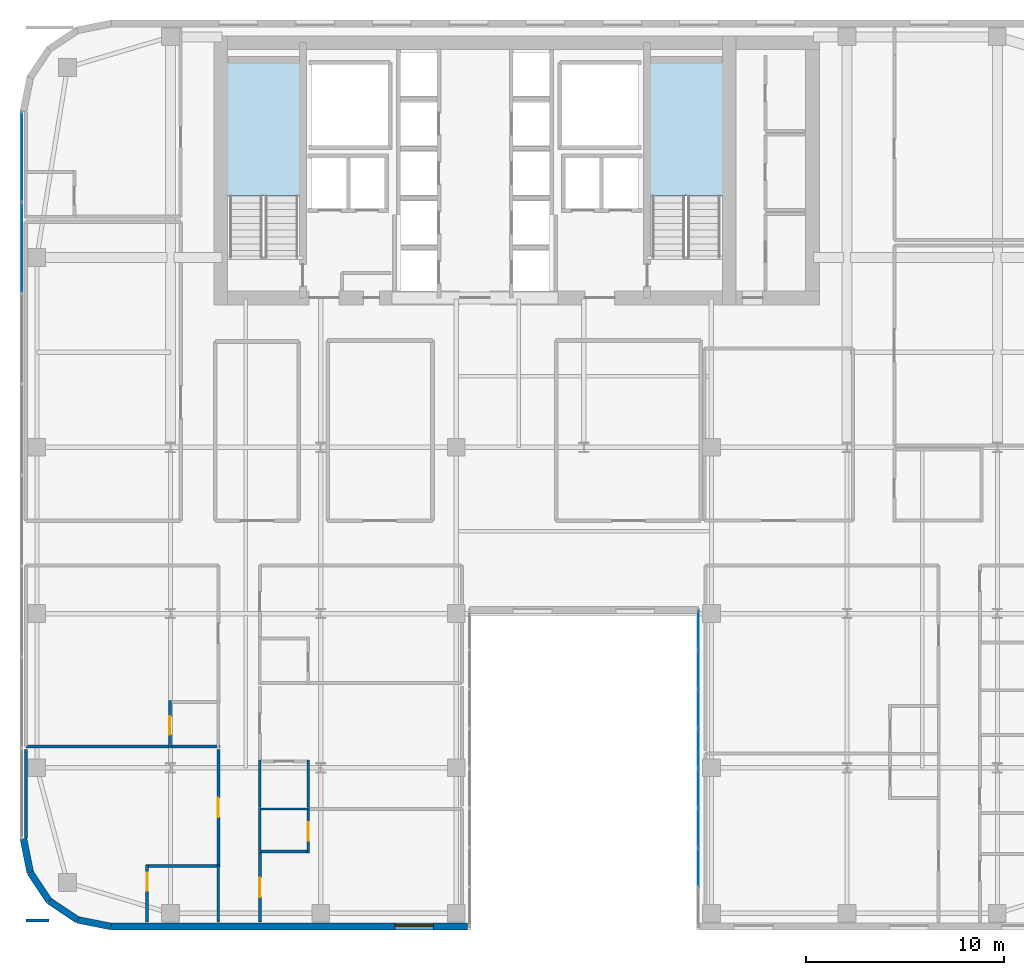
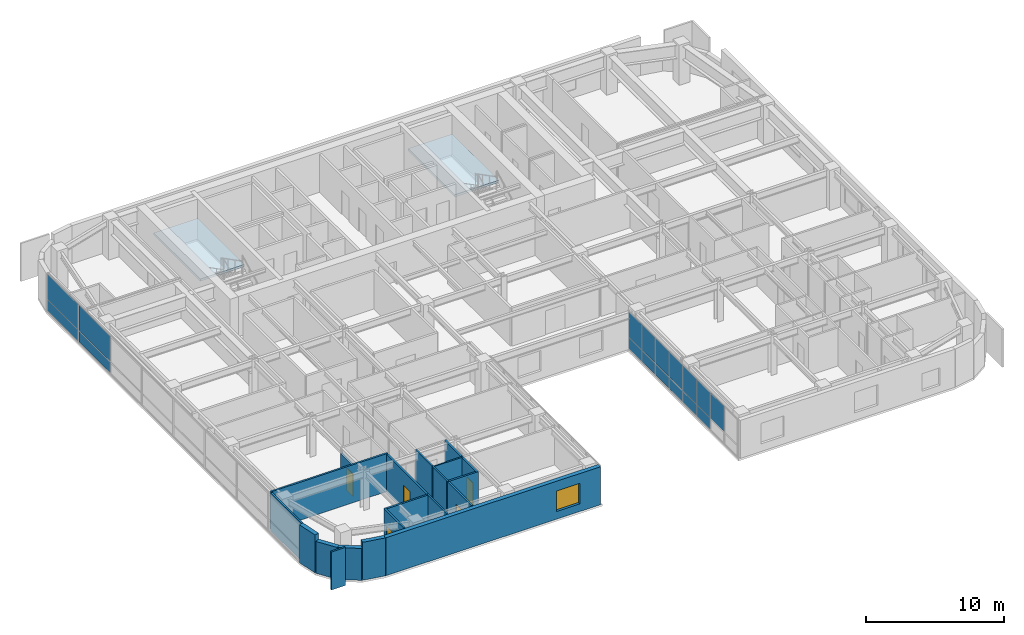
# One storey, part 23 of 30: 20 walls, 17 plates, 5 doors, 2 slabs, 1 window, 6 openings, 4 elements without a shape of their own.
"""IFC4 building model written with IfcOpenShell, lengths in metres."""

from ifc_helpers import new_model, si_unit, direction, frame, frame_2d, origin, origin_2d, place, context, subcontext, project, spatial, polyline, rectangle, outline, extrude, source, transform, mapped, material, layer, layer_set, type_object, type_shapes, element, fill, aggregate, save


model = new_model("IFC4")

# Units and contexts
model_context = context("Model", 3, precision=1e-05, world=origin(), true_north=direction((0.0, 1.0)))
body_context = subcontext(model_context, "Body", "Model", "MODEL_VIEW")
ifc_project = project(units=[si_unit("LENGTHUNIT", "METRE"), si_unit("AREAUNIT", "SQUARE_METRE"), si_unit("VOLUMEUNIT", "CUBIC_METRE"), si_unit("PLANEANGLEUNIT", "RADIAN"), si_unit("MASSUNIT", "GRAM", prefix="KILO")], contexts=[model_context])

# Site, building, storey
site_placement = place(None, origin())
site = spatial("IfcSite", under=ifc_project, at=site_placement, CompositionType="ELEMENT")
building_placement = place(site_placement, origin())
building = spatial("IfcBuilding", under=site, at=building_placement, Name="Tolvann Quenvar Hotel", CompositionType="ELEMENT")
storey_placement = place(building_placement, frame((0.0, 0.0, 100.89990234375)))
storey = spatial("IfcBuildingStorey", under=building, at=storey_placement, Name="L25", CompositionType="ELEMENT", Elevation=100.89990234375)

# Stair, slab
ifc_material_1 = material(Name="Concrete N40 (40 MPa)", Category="concrete")
stair_type = type_object("IfcStairType", Name="STAIR", PredefinedType="HALF_TURN_STAIR", material=ifc_material_1)
stair_1_placement = place(storey_placement, origin())
stair_1 = element("IfcStair", 1, at=stair_1_placement, inside=storey, type_object=stair_type, Name="L25 ST-C1", PredefinedType="HALF_TURN_STAIR")
ifc_layer_1 = layer(ifc_material_1, 0.199951171875)
ifc_layer_set_1 = layer_set([ifc_layer_1], Name="Concrete N40 (40 MPa)")
slab_type = type_object("IfcSlabType", Name="SLAB_LANDING", PredefinedType="LANDING", material=ifc_layer_set_1)
slab_1_placement = place(storey_placement, frame((0.0, 0.0, 1.5751953125)))
slab_1 = element("IfcSlab", 2, at=slab_1_placement, type_object=slab_type, Name="ST-C1 landing 1", PredefinedType="LANDING", context=body_context, shape_type="SweptSolid", body=[
    extrude(outline(polyline([(14.179931640625, 37.10498046875), (14.179931640625, 43.8798828125), (10.469970703125, 43.8798828125), (10.469970703125, 37.10498046875), (14.179931640625, 37.10498046875)])), origin(), (0.0, 0.0, 1.0), 0.199951171875),
])
aggregate(stair_1, [slab_1])

stair_2_placement = place(storey_placement, origin())
stair_2 = element("IfcStair", 3, at=stair_2_placement, inside=storey, type_object=stair_type, Name="L25 ST-C2", PredefinedType="HALF_TURN_STAIR")
slab_2_placement = place(storey_placement, frame((0.0, 0.0, 1.5751953125)))
slab_2 = element("IfcSlab", 4, at=slab_2_placement, type_object=slab_type, Name="ST-C2 landing 1", PredefinedType="LANDING", context=body_context, shape_type="SweptSolid", body=[
    extrude(outline(polyline([(35.530029296875, 37.10498046875), (35.530029296875, 43.8798828125), (31.820068359375, 43.8798828125), (31.820068359375, 37.10498046875), (35.530029296875, 37.10498046875)])), origin(), (0.0, 0.0, 1.0), 0.199951171875),
])
aggregate(stair_2, [slab_2])

# Curtain wall, plates
ifc_material_2 = material(Name="Thermally broken anodised architectural aluminium 6063-T6 and laminated low-E glass", Category="aluminium")
ifc_layer_2 = layer(ifc_material_2, 0.179931640625)
ifc_layer_set_2 = layer_set([ifc_layer_2], Name="Thermally broken anodised architectural aluminium 6063-T6 and laminated low-E glass")
curtain_wall_type_1 = type_object("IfcCurtainWallType", Name="CW_SYS_SLOT_03", PredefinedType="USERDEFINED", material=ifc_layer_set_2)
curtain_wall_1_placement = place(storey_placement, origin())
curtain_wall_1 = element("IfcCurtainWall", 5, at=curtain_wall_1_placement, inside=storey, type_object=curtain_wall_type_1, Name="Curtain Wall CW-SLOT-03 (CWR-L25-E07)", ObjectType="UNITISED CURTAIN WALL", PredefinedType="USERDEFINED")
ifc_material_3 = material(Name="Low-iron laminated double glazing with solar-control coating", Category="glass")
ifc_layer_3 = layer(ifc_material_3, 0.028076171875)
ifc_layer_set_3 = layer_set([ifc_layer_3], Name="Low-iron laminated double glazing with solar-control coating")
plate_type = type_object("IfcPlateType", Name="CW_PAN_VISION_28", PredefinedType="CURTAIN_PANEL", material=ifc_layer_set_3)
shared_shape_1 = source(origin(), body_context, "Body", "SweptSolid", [
    extrude(rectangle(XDim=1.89501953125, YDim=0.028076171875, at=origin_2d()), origin(), (0.0, 0.0, 1.0), 0.9599609375),
])
plate_1_placement = place(storey_placement, frame((34.2900390625, 15.157470703125, 0.06005859375), z_axis=(0.0, 0.0, 1.0), x_axis=(0.0, -1.0, 0.0)))
plate_1 = element("IfcPlate", 6, at=plate_1_placement, type_object=plate_type, Name="CW-SLOT-03 panel 1.1", PredefinedType="CURTAIN_PANEL", context=body_context, shape_type="MappedRepresentation", body=[
    mapped(shared_shape_1, transform((0.0, 0.0, 0.0), x_axis=(1.0, 0.0, 0.0), y_axis=(0.0, 1.0, 0.0), z_axis=(0.0, 0.0, 1.0), scale=1.0)),
])
shared_shape_2 = source(origin(), body_context, "Body", "SweptSolid", [
    extrude(rectangle(XDim=1.89501953125, YDim=0.028076171875, at=origin_2d()), origin(), (0.0, 0.0, 1.0), 2.22998046875),
])
plate_2_placement = place(storey_placement, frame((34.2900390625, 15.157470703125, 1.080078125), z_axis=(0.0, 0.0, 1.0), x_axis=(0.0, -1.0, 0.0)))
plate_2 = element("IfcPlate", 7, at=plate_2_placement, type_object=plate_type, Name="CW-SLOT-03 panel 1.2", PredefinedType="CURTAIN_PANEL", context=body_context, shape_type="MappedRepresentation", body=[
    mapped(shared_shape_2, transform((0.0, 0.0, 0.0), x_axis=(1.0, 0.0, 0.0), y_axis=(0.0, 1.0, 0.0), z_axis=(0.0, 0.0, 1.0), scale=1.0)),
])
shared_shape_3 = source(origin(), body_context, "Body", "SweptSolid", [
    extrude(rectangle(XDim=1.929931640625, YDim=0.028076171875, at=origin_2d()), origin(), (0.0, 0.0, 1.0), 0.9599609375),
])
plate_3_placement = place(storey_placement, frame((34.2900390625, 13.175048828125, 0.06005859375), z_axis=(0.0, 0.0, 1.0), x_axis=(0.0, -1.0, 0.0)))
plate_3 = element("IfcPlate", 8, at=plate_3_placement, type_object=plate_type, Name="CW-SLOT-03 panel 2.1", PredefinedType="CURTAIN_PANEL", context=body_context, shape_type="MappedRepresentation", body=[
    mapped(shared_shape_3, transform((0.0, 0.0, 0.0), x_axis=(1.0, 0.0, 0.0), y_axis=(0.0, 1.0, 0.0), z_axis=(0.0, 0.0, 1.0), scale=1.0)),
])
plate_4_placement = place(storey_placement, frame((34.2900390625, 11.175048828125, 0.06005859375), z_axis=(0.0, 0.0, 1.0), x_axis=(0.0, -1.0, 0.0)))
plate_4 = element("IfcPlate", 9, at=plate_4_placement, type_object=plate_type, Name="CW-SLOT-03 panel 3.1", PredefinedType="CURTAIN_PANEL", context=body_context, shape_type="MappedRepresentation", body=[
    mapped(shared_shape_3, transform((0.0, 0.0, 0.0), x_axis=(1.0, 0.0, 0.0), y_axis=(0.0, 1.0, 0.0), z_axis=(0.0, 0.0, 1.0), scale=1.0)),
])
plate_5_placement = place(storey_placement, frame((34.2900390625, 9.175048828125, 0.06005859375), z_axis=(0.0, 0.0, 1.0), x_axis=(0.0, -1.0, 0.0)))
plate_5 = element("IfcPlate", 10, at=plate_5_placement, type_object=plate_type, Name="CW-SLOT-03 panel 4.1", PredefinedType="CURTAIN_PANEL", context=body_context, shape_type="MappedRepresentation", body=[
    mapped(shared_shape_3, transform((0.0, 0.0, 0.0), x_axis=(1.0, 0.0, 0.0), y_axis=(0.0, 1.0, 0.0), z_axis=(0.0, 0.0, 1.0), scale=1.0)),
])
plate_6_placement = place(storey_placement, frame((34.2900390625, 7.175048828125, 0.06005859375), z_axis=(0.0, 0.0, 1.0), x_axis=(0.0, -1.0, 0.0)))
plate_6 = element("IfcPlate", 11, at=plate_6_placement, type_object=plate_type, Name="CW-SLOT-03 panel 5.1", PredefinedType="CURTAIN_PANEL", context=body_context, shape_type="MappedRepresentation", body=[
    mapped(shared_shape_3, transform((0.0, 0.0, 0.0), x_axis=(1.0, 0.0, 0.0), y_axis=(0.0, 1.0, 0.0), z_axis=(0.0, 0.0, 1.0), scale=1.0)),
])
plate_7_placement = place(storey_placement, frame((34.2900390625, 5.175048828125, 0.06005859375), z_axis=(0.0, 0.0, 1.0), x_axis=(0.0, -1.0, 0.0)))
plate_7 = element("IfcPlate", 12, at=plate_7_placement, type_object=plate_type, Name="CW-SLOT-03 panel 6.1", PredefinedType="CURTAIN_PANEL", context=body_context, shape_type="MappedRepresentation", body=[
    mapped(shared_shape_3, transform((0.0, 0.0, 0.0), x_axis=(1.0, 0.0, 0.0), y_axis=(0.0, 1.0, 0.0), z_axis=(0.0, 0.0, 1.0), scale=1.0)),
])
shared_shape_4 = source(origin(), body_context, "Body", "SweptSolid", [
    extrude(rectangle(XDim=1.929931640625, YDim=0.028076171875, at=origin_2d()), origin(), (0.0, 0.0, 1.0), 2.22998046875),
])
plate_8_placement = place(storey_placement, frame((34.2900390625, 13.175048828125, 1.080078125), z_axis=(0.0, 0.0, 1.0), x_axis=(0.0, -1.0, 0.0)))
plate_8 = element("IfcPlate", 13, at=plate_8_placement, type_object=plate_type, Name="CW-SLOT-03 panel 2.2", PredefinedType="CURTAIN_PANEL", context=body_context, shape_type="MappedRepresentation", body=[
    mapped(shared_shape_4, transform((0.0, 0.0, 0.0), x_axis=(1.0, 0.0, 0.0), y_axis=(0.0, 1.0, 0.0), z_axis=(0.0, 0.0, 1.0), scale=1.0)),
])
plate_9_placement = place(storey_placement, frame((34.2900390625, 11.175048828125, 1.080078125), z_axis=(0.0, 0.0, 1.0), x_axis=(0.0, -1.0, 0.0)))
plate_9 = element("IfcPlate", 14, at=plate_9_placement, type_object=plate_type, Name="CW-SLOT-03 panel 3.2", PredefinedType="CURTAIN_PANEL", context=body_context, shape_type="MappedRepresentation", body=[
    mapped(shared_shape_4, transform((0.0, 0.0, 0.0), x_axis=(1.0, 0.0, 0.0), y_axis=(0.0, 1.0, 0.0), z_axis=(0.0, 0.0, 1.0), scale=1.0)),
])
plate_10_placement = place(storey_placement, frame((34.2900390625, 9.175048828125, 1.080078125), z_axis=(0.0, 0.0, 1.0), x_axis=(0.0, -1.0, 0.0)))
plate_10 = element("IfcPlate", 15, at=plate_10_placement, type_object=plate_type, Name="CW-SLOT-03 panel 4.2", PredefinedType="CURTAIN_PANEL", context=body_context, shape_type="MappedRepresentation", body=[
    mapped(shared_shape_4, transform((0.0, 0.0, 0.0), x_axis=(1.0, 0.0, 0.0), y_axis=(0.0, 1.0, 0.0), z_axis=(0.0, 0.0, 1.0), scale=1.0)),
])
plate_11_placement = place(storey_placement, frame((34.2900390625, 7.175048828125, 1.080078125), z_axis=(0.0, 0.0, 1.0), x_axis=(0.0, -1.0, 0.0)))
plate_11 = element("IfcPlate", 16, at=plate_11_placement, type_object=plate_type, Name="CW-SLOT-03 panel 5.2", PredefinedType="CURTAIN_PANEL", context=body_context, shape_type="MappedRepresentation", body=[
    mapped(shared_shape_4, transform((0.0, 0.0, 0.0), x_axis=(1.0, 0.0, 0.0), y_axis=(0.0, 1.0, 0.0), z_axis=(0.0, 0.0, 1.0), scale=1.0)),
])
plate_12_placement = place(storey_placement, frame((34.2900390625, 5.175048828125, 1.080078125), z_axis=(0.0, 0.0, 1.0), x_axis=(0.0, -1.0, 0.0)))
plate_12 = element("IfcPlate", 17, at=plate_12_placement, type_object=plate_type, Name="CW-SLOT-03 panel 6.2", PredefinedType="CURTAIN_PANEL", context=body_context, shape_type="MappedRepresentation", body=[
    mapped(shared_shape_4, transform((0.0, 0.0, 0.0), x_axis=(1.0, 0.0, 0.0), y_axis=(0.0, 1.0, 0.0), z_axis=(0.0, 0.0, 1.0), scale=1.0)),
])
plate_13_placement = place(storey_placement, frame((34.2900390625, 3.175048828125, 1.080078125), z_axis=(0.0, 0.0, 1.0), x_axis=(0.0, -1.0, 0.0)))
plate_13 = element("IfcPlate", 18, at=plate_13_placement, type_object=plate_type, Name="CW-SLOT-03 panel 7.2", PredefinedType="CURTAIN_PANEL", context=body_context, shape_type="MappedRepresentation", body=[
    mapped(shared_shape_4, transform((0.0, 0.0, 0.0), x_axis=(1.0, 0.0, 0.0), y_axis=(0.0, 1.0, 0.0), z_axis=(0.0, 0.0, 1.0), scale=1.0)),
])
aggregate(curtain_wall_1, [plate_1, plate_2, plate_3, plate_8, plate_4, plate_9, plate_5, plate_10, plate_6, plate_11, plate_7, plate_12, plate_13])

ifc_layer_4 = layer(ifc_material_2, 0.179931640625)
ifc_layer_set_4 = layer_set([ifc_layer_4], Name="Thermally broken anodised architectural aluminium 6063-T6 and laminated low-E glass")
curtain_wall_type_2 = type_object("IfcCurtainWallType", Name="CW_SYS_BAND_04", PredefinedType="USERDEFINED", material=ifc_layer_set_4)
curtain_wall_2_placement = place(storey_placement, origin())
curtain_wall_2 = element("IfcCurtainWall", 19, at=curtain_wall_2_placement, inside=storey, type_object=curtain_wall_type_2, Name="Curtain Wall CW-BAND-04 (CWR-L25-E23)", ObjectType="UNITISED CURTAIN WALL", PredefinedType="USERDEFINED")
shared_shape_5 = source(origin(), body_context, "Body", "SweptSolid", [
    extrude(rectangle(XDim=4.49072265625, YDim=0.028076171875, at=origin_2d()), origin(), (0.0, 0.0, 1.0), 0.9599609375),
])
plate_14_placement = place(storey_placement, frame((0.090087890625, 39.0673828125, 0.06005859375), z_axis=(0.0, 0.0, 1.0), x_axis=(0.0, -1.0, 0.0)))
plate_14 = element("IfcPlate", 20, at=plate_14_placement, type_object=plate_type, Name="CW-BAND-04 panel 1.1", PredefinedType="CURTAIN_PANEL", context=body_context, shape_type="MappedRepresentation", body=[
    mapped(shared_shape_5, transform((0.0, 0.0, 0.0), x_axis=(1.0, 0.0, 0.0), y_axis=(0.0, 1.0, 0.0), z_axis=(0.0, 0.0, 1.0), scale=1.0)),
])
shared_shape_6 = source(origin(), body_context, "Body", "SweptSolid", [
    extrude(rectangle(XDim=4.49072265625, YDim=0.028076171875, at=origin_2d()), origin(), (0.0, 0.0, 1.0), 2.22998046875),
])
plate_15_placement = place(storey_placement, frame((0.090087890625, 39.0673828125, 1.080078125), z_axis=(0.0, 0.0, 1.0), x_axis=(0.0, -1.0, 0.0)))
plate_15 = element("IfcPlate", 21, at=plate_15_placement, type_object=plate_type, Name="CW-BAND-04 panel 1.2", PredefinedType="CURTAIN_PANEL", context=body_context, shape_type="MappedRepresentation", body=[
    mapped(shared_shape_6, transform((0.0, 0.0, 0.0), x_axis=(1.0, 0.0, 0.0), y_axis=(0.0, 1.0, 0.0), z_axis=(0.0, 0.0, 1.0), scale=1.0)),
])
shared_shape_7 = source(origin(), body_context, "Body", "SweptSolid", [
    extrude(rectangle(XDim=4.525634765625, YDim=0.028076171875, at=origin_2d()), origin(), (0.0, 0.0, 1.0), 0.9599609375),
])
plate_16_placement = place(storey_placement, frame((0.090087890625, 34.4892578125, 0.06005859375), z_axis=(0.0, 0.0, 1.0), x_axis=(0.0, -1.0, 0.0)))
plate_16 = element("IfcPlate", 22, at=plate_16_placement, type_object=plate_type, Name="CW-BAND-04 panel 2.1", PredefinedType="CURTAIN_PANEL", context=body_context, shape_type="MappedRepresentation", body=[
    mapped(shared_shape_7, transform((0.0, 0.0, 0.0), x_axis=(1.0, 0.0, 0.0), y_axis=(0.0, 1.0, 0.0), z_axis=(0.0, 0.0, 1.0), scale=1.0)),
])
shared_shape_8 = source(origin(), body_context, "Body", "SweptSolid", [
    extrude(rectangle(XDim=4.525634765625, YDim=0.028076171875, at=origin_2d()), origin(), (0.0, 0.0, 1.0), 2.22998046875),
])
type_shapes(plate_type, [shared_shape_1, shared_shape_2, shared_shape_3, shared_shape_4, shared_shape_5, shared_shape_6, shared_shape_7, shared_shape_8])
plate_17_placement = place(storey_placement, frame((0.090087890625, 34.4892578125, 1.080078125), z_axis=(0.0, 0.0, 1.0), x_axis=(0.0, -1.0, 0.0)))
plate_17 = element("IfcPlate", 23, at=plate_17_placement, type_object=plate_type, Name="CW-BAND-04 panel 2.2", PredefinedType="CURTAIN_PANEL", context=body_context, shape_type="MappedRepresentation", body=[
    mapped(shared_shape_8, transform((0.0, 0.0, 0.0), x_axis=(1.0, 0.0, 0.0), y_axis=(0.0, 1.0, 0.0), z_axis=(0.0, 0.0, 1.0), scale=1.0)),
])
aggregate(curtain_wall_2, [plate_14, plate_15, plate_16, plate_17])

# Walls
ifc_material_4 = material(Name="Kiln-fired red and buff architectural clay brickwork and terracotta masonry", Category="masonry")
ifc_layer_5 = layer(ifc_material_4, 0.35009765625)
ifc_layer_set_5 = layer_set([ifc_layer_5], Name="Kiln-fired red and buff architectural clay brickwork and terracotta masonry")
wall_type_1 = type_object("IfcWallType", Name="WALL_EXT_BRICK_350", PredefinedType="SOLIDWALL", material=ifc_layer_set_5)
for number, where, z_axis, x_axis, name in (
    (24, (0.514892578125, 2.907958984375, 0.0), (0.0, 0.0, 1.0), (0.55554893791, -0.831483840845, 0.0), "Exterior Chicago Brick Wall L25-E01"),
    (25, (1.473388671875, 1.473388671875, 0.0), (0.0, 0.0, 1.0), (0.831483840845, -0.55554893791, 0.0), "Exterior Chicago Brick Wall L25-E02"),
):
    element("IfcWall", number, at=place(storey_placement, frame(where, z_axis=z_axis, x_axis=x_axis)), inside=storey, type_object=wall_type_1, Name=name, PredefinedType="SOLIDWALL", context=body_context, shape_type="SweptSolid", body=[
        extrude(rectangle(XDim=1.725341796875, YDim=0.35009765625, at=frame_2d((0.86279296875, 0.0))), origin(), (0.0, 0.0, 1.0), 2.83203125),
    ])
wall_1_placement = place(storey_placement, frame((2.907958984375, 0.514892578125, 0.0), z_axis=(0.0, 0.0, 1.0), x_axis=(0.980800971659, -0.195011420161, 0.0)))
element("IfcWall", 26, at=wall_1_placement, inside=storey, type_object=wall_type_1, Name="Exterior Chicago Brick Wall L25-E03", PredefinedType="SOLIDWALL", context=body_context, shape_type="SweptSolid", body=[
    extrude(rectangle(XDim=1.74267578125, YDim=0.35009765625, at=frame_2d((0.871337890625, 0.0))), origin(), (0.0, 0.0, 1.0), 3.3701171875),
])

# Wall, opening, window
wall_2_placement = place(storey_placement, frame((4.6171875, 0.175048828125, 0.0), z_axis=(0.0, 0.0, 1.0), x_axis=(1.0, 0.0, 0.0)))
wall_2 = element("IfcWall", 27, at=wall_2_placement, inside=storey, type_object=wall_type_1, Name="Exterior Chicago Brick Wall L25-E04", PredefinedType="SOLIDWALL", context=body_context, shape_type="SweptSolid", body=[
    extrude(rectangle(XDim=18.0078125, YDim=0.35009765625, at=frame_2d((9.00390625, 0.0))), origin(), (0.0, 0.0, 1.0), 3.3701171875),
])
opening_1_placement = place(wall_2_placement, frame((14.33203125, 0.0, 0.679931640625)))
opening_1 = element("IfcOpeningElement", 28, at=opening_1_placement, cuts=wall_2, Name="Opening W-10", PredefinedType="OPENING", context=body_context, shape_type="SweptSolid", body=[
    extrude(rectangle(XDim=1.949951171875, YDim=1.820068359375, at=frame_2d((0.97509765625, 0.91015625))), frame((0.0, 0.18505859375, 0.0), z_axis=(0.0, -1.0, 0.0), x_axis=(1.0, 0.0, 0.0)), (0.0, 0.0, 1.0), 0.3701171875),
])
ifc_material_5 = material(Name="Thermally broken bronze-anodised aluminium frame with double low-E glazing", Category="aluminium")
window_type = type_object("IfcWindowType", Name="WIN_CLB_1950x1850", PartitioningType="DOUBLE_PANEL_VERTICAL", PredefinedType="WINDOW", material=ifc_material_5)
shared_shape_9 = source(origin(), body_context, "Body", "SweptSolid", [
    extrude(rectangle(XDim=1.949951171875, YDim=1.820068359375, at=frame_2d((0.97509765625, 0.91015625))), frame((0.0, 0.090087890625, 0.0), z_axis=(0.0, -1.0, 0.0), x_axis=(1.0, 0.0, 0.0)), (0.0, 0.0, 1.0), 0.06005859375),
])
type_shapes(window_type, [shared_shape_9])
window_placement = place(opening_1_placement, origin())
window = element("IfcWindow", 29, at=window_placement, inside=storey, type_object=window_type, Name="Chicago Window W-10 (EW-L25-E04-W01)", OverallHeight=1.820068359375, OverallWidth=1.949951171875, PartitioningType="DOUBLE_PANEL_VERTICAL", PredefinedType="WINDOW", context=body_context, shape_type="MappedRepresentation", body=[
    mapped(shared_shape_9, transform((0.0, 0.0, 0.0), x_axis=(1.0, 0.0, 0.0), y_axis=(0.0, 1.0, 0.0), z_axis=(0.0, 0.0, 1.0), scale=1.0)),
])
fill(opening_1, window)

# Walls
wall_3_placement = place(storey_placement, frame((0.175048828125, 4.6171875, 0.0), z_axis=(0.0, 0.0, 1.0), x_axis=(0.195011420161, -0.980800971659, 0.0)))
element("IfcWall", 30, at=wall_3_placement, inside=storey, type_object=wall_type_1, Name="Exterior Chicago Brick Wall L25-E24", PredefinedType="SOLIDWALL", context=body_context, shape_type="SweptSolid", body=[
    extrude(rectangle(XDim=1.74267578125, YDim=0.35009765625, at=frame_2d((0.871337890625, 0.0))), origin(), (0.0, 0.0, 1.0), 3.3701171875),
])
ifc_material_6 = material(Name="Moisture-resistant acoustic plumbing wall assembly")
ifc_layer_6 = layer(ifc_material_6, 0.1201171875)
ifc_layer_set_6 = layer_set([ifc_layer_6], Name="Moisture-resistant acoustic plumbing wall assembly")
wall_type_2 = type_object("IfcWallType", Name="WALL_PART_BATH_120", PredefinedType="PLUMBINGWALL", material=ifc_layer_set_6)
wall_4_placement = place(storey_placement, frame((10.030029296875, 0.405029296875, 0.0), z_axis=(0.0, 0.0, 1.0), x_axis=(0.0, 1.0, 0.0)))
element("IfcWall", 31, at=wall_4_placement, inside=storey, type_object=wall_type_2, Name="Non-Rated Plumbing Partition PT-SPC-L25-ENS-WO01-E", PredefinedType="PLUMBINGWALL", context=body_context, shape_type="SweptSolid", body=[
    extrude(rectangle(XDim=2.89501953125, YDim=0.1201171875, at=frame_2d((1.447509765625, 0.0))), origin(), (0.0, 0.0, 1.0), 3.3701171875),
])
wall_5_placement = place(storey_placement, frame((12.050048828125, 6.1201171875, 0.0), z_axis=(0.0, 0.0, 1.0), x_axis=(1.0, 0.0, 0.0)))
element("IfcWall", 32, at=wall_5_placement, inside=storey, type_object=wall_type_2, Name="Non-Rated Plumbing Partition PT-SPC-L25-ENS-WI01-N", PredefinedType="PLUMBINGWALL", context=body_context, shape_type="SweptSolid", body=[
    extrude(rectangle(XDim=2.58984375, YDim=0.1201171875, at=frame_2d((1.294921875, 0.0))), origin(), (0.0, 0.0, 1.0), 3.3701171875),
])
wall_6_placement = place(storey_placement, frame((12.1201171875, 3.906982421875, 0.0), z_axis=(0.0, 0.0, 1.0), x_axis=(0.0, 1.0, 0.0)))
element("IfcWall", 33, at=wall_6_placement, inside=storey, type_object=wall_type_2, Name="Non-Rated Plumbing Partition PT-SPC-L25-ENS-WI01-W", PredefinedType="PLUMBINGWALL", context=body_context, shape_type="SweptSolid", body=[
    extrude(rectangle(XDim=2.282958984375, YDim=0.1201171875, at=frame_2d((1.1416015625, 0.0))), origin(), (0.0, 0.0, 1.0), 3.3701171875),
])
wall_7_placement = place(storey_placement, frame((12.1201171875, 6.2099609375, 0.0), z_axis=(0.0, 0.0, 1.0), x_axis=(0.0, 1.0, 0.0)))
element("IfcWall", 34, at=wall_7_placement, inside=storey, type_object=wall_type_2, Name="Non-Rated Plumbing Partition PT-SPC-L25-ENS-WI02-W", PredefinedType="PLUMBINGWALL", context=body_context, shape_type="SweptSolid", body=[
    extrude(rectangle(XDim=2.39013671875, YDim=0.1201171875, at=frame_2d((1.195068359375, 0.0))), origin(), (0.0, 0.0, 1.0), 3.3701171875),
])

# Wall, opening, door
ifc_material_7 = material(Name="Acoustic twin-stud fire-rated gypsum plasterboard partition")
ifc_layer_7 = layer(ifc_material_7, 0.14990234375)
ifc_layer_set_7 = layer_set([ifc_layer_7], Name="Acoustic twin-stud fire-rated gypsum plasterboard partition")
wall_type_3 = type_object("IfcWallType", Name="WALL_PART_SUITE_150", PredefinedType="PARTITIONING", material=ifc_layer_set_7)
wall_8_placement = place(storey_placement, frame((6.429931640625, 0.405029296875, 0.0), z_axis=(0.0, 0.0, 1.0), x_axis=(0.0, 1.0, 0.0)))
wall_8 = element("IfcWall", 35, at=wall_8_placement, inside=storey, type_object=wall_type_3, Name="Interior Partition PT-SPC-L25-ENS-WO01-ENT", PredefinedType="PARTITIONING", context=body_context, shape_type="SweptSolid", body=[
    extrude(rectangle(XDim=2.89501953125, YDim=0.14990234375, at=frame_2d((1.447509765625, 0.0))), origin(), (0.0, 0.0, 1.0), 3.3701171875),
])
opening_2_placement = place(wall_8_placement, frame((1.580078125, 0.0, 0.0)))
opening_2 = element("IfcOpeningElement", 36, at=opening_2_placement, cuts=wall_8, Name="Opening WD-01", PredefinedType="OPENING", context=body_context, shape_type="SweptSolid", body=[
    extrude(rectangle(XDim=0.919921875, YDim=2.010009765625, at=frame_2d((0.4599609375, 1.0048828125))), frame((0.0, 0.0849609375, 0.0), z_axis=(0.0, -1.0, 0.0), x_axis=(1.0, 0.0, 0.0)), (0.0, 0.0, 1.0), 0.169921875),
])
ifc_material_8 = material(Name="Solid-core American oak acoustic fire door leaf in steel frame", Category="steel")
door_type_1 = type_object("IfcDoorType", Name="DOOR_WC_920", OperationType="NOTDEFINED", PredefinedType="DOOR", material=ifc_material_8)
shared_shape_10 = source(origin(), body_context, "Body", "SweptSolid", [
    extrude(rectangle(XDim=0.919921875, YDim=2.010009765625, at=frame_2d((0.4599609375, 1.0048828125))), frame((0.0, 0.02490234375, 0.0), z_axis=(0.0, -1.0, 0.0), x_axis=(1.0, 0.0, 0.0)), (0.0, 0.0, 1.0), 0.050048828125),
])
type_shapes(door_type_1, [shared_shape_10])
door_1_placement = place(opening_2_placement, origin())
door_1 = element("IfcDoor", 37, at=door_1_placement, inside=storey, type_object=door_type_1, Name="Interior Door DOOR-SPC-L25-ENS-WO01", OperationType="SINGLE_SWING_LEFT", OverallHeight=2.010009765625, OverallWidth=0.919921875, PredefinedType="DOOR", context=body_context, shape_type="MappedRepresentation", body=[
    mapped(shared_shape_10, transform((0.0, 0.0, 0.0), x_axis=(1.0, 0.0, 0.0), y_axis=(0.0, 1.0, 0.0), z_axis=(0.0, 0.0, 1.0), scale=1.0)),
])
fill(opening_2, door_1)

# Wall
wall_9_placement = place(storey_placement, frame((6.360107421875, 3.22998046875, 0.0), z_axis=(0.0, 0.0, 1.0), x_axis=(1.0, 0.0, 0.0)))
element("IfcWall", 38, at=wall_9_placement, inside=storey, type_object=wall_type_3, Name="Interior Partition PT-SPC-L25-ENS-WO01-N", PredefinedType="PARTITIONING", context=body_context, shape_type="SweptSolid", body=[
    extrude(rectangle(XDim=3.739990234375, YDim=0.14990234375, at=frame_2d((1.8701171875, 0.0))), origin(), (0.0, 0.0, 1.0), 3.3701171875),
])

# Wall, opening, door
wall_10_placement = place(storey_placement, frame((7.580078125, 9.2099609375, 0.0), z_axis=(0.0, 0.0, 1.0), x_axis=(0.0, 1.0, 0.0)))
wall_10 = element("IfcWall", 39, at=wall_10_placement, inside=storey, type_object=wall_type_3, Name="Interior Partition PT-SPC-L25-ENS-WO02-ENT", PredefinedType="PARTITIONING", context=body_context, shape_type="SweptSolid", body=[
    extrude(rectangle(XDim=2.39013671875, YDim=0.14990234375, at=frame_2d((1.195068359375, 0.0))), origin(), (0.0, 0.0, 1.0), 2.8271484375),
])
opening_3_placement = place(wall_10_placement, frame((0.6650390625, 0.0, 0.0)))
opening_3 = element("IfcOpeningElement", 40, at=opening_3_placement, cuts=wall_10, Name="Opening WD-01", PredefinedType="OPENING", context=body_context, shape_type="SweptSolid", body=[
    extrude(rectangle(XDim=0.919921875, YDim=2.010009765625, at=frame_2d((0.4599609375, 1.0048828125))), frame((0.0, 0.0849609375, 0.0), z_axis=(0.0, -1.0, 0.0), x_axis=(1.0, 0.0, 0.0)), (0.0, 0.0, 1.0), 0.169921875),
])
door_2_placement = place(opening_3_placement, origin())
door_2 = element("IfcDoor", 41, at=door_2_placement, inside=storey, type_object=door_type_1, Name="Interior Door DOOR-SPC-L25-ENS-WO02", OperationType="SINGLE_SWING_RIGHT", OverallHeight=2.010009765625, OverallWidth=0.919921875, PredefinedType="DOOR", context=body_context, shape_type="MappedRepresentation", body=[
    mapped(shared_shape_10, transform((0.0, 0.0, 0.0), x_axis=(1.0, 0.0, 0.0), y_axis=(0.0, 1.0, 0.0), z_axis=(0.0, 0.0, 1.0), scale=1.0)),
])
fill(opening_3, door_2)

# Wall
wall_11_placement = place(storey_placement, frame((0.300048828125, 9.280029296875, 0.0), z_axis=(0.0, 0.0, 1.0), x_axis=(1.0, 0.0, 0.0)))
element("IfcWall", 42, at=wall_11_placement, inside=storey, type_object=wall_type_3, Name="Interior Partition PT-SPC-L25-ENS-WO02-S", PredefinedType="PARTITIONING", context=body_context, shape_type="SweptSolid", body=[
    extrude(rectangle(XDim=9.800048828125, YDim=0.14990234375, at=frame_2d((4.89990234375, 0.0))), origin(), (0.0, 0.0, 1.0), 3.3701171875),
])

# Wall, opening, door
wall_12_placement = place(storey_placement, frame((14.570068359375, 3.906982421875, 0.0), z_axis=(0.0, 0.0, 1.0), x_axis=(0.0, 1.0, 0.0)))
wall_12 = element("IfcWall", 43, at=wall_12_placement, inside=storey, type_object=wall_type_3, Name="Interior Partition PT-SPC-L25-ENS-WI01-ENT", PredefinedType="PARTITIONING", context=body_context, shape_type="SweptSolid", body=[
    extrude(rectangle(XDim=2.282958984375, YDim=0.14990234375, at=frame_2d((1.1416015625, 0.0))), origin(), (0.0, 0.0, 1.0), 3.3701171875),
])
opening_4_placement = place(wall_12_placement, frame((0.611572265625, 0.0, 0.0)))
opening_4 = element("IfcOpeningElement", 44, at=opening_4_placement, cuts=wall_12, Name="Opening WD-01", PredefinedType="OPENING", context=body_context, shape_type="SweptSolid", body=[
    extrude(rectangle(XDim=0.919921875, YDim=2.010009765625, at=frame_2d((0.4599609375, 1.0048828125))), frame((0.0, 0.0849609375, 0.0), z_axis=(0.0, -1.0, 0.0), x_axis=(1.0, 0.0, 0.0)), (0.0, 0.0, 1.0), 0.169921875),
])
door_3_placement = place(opening_4_placement, origin())
door_3 = element("IfcDoor", 45, at=door_3_placement, inside=storey, type_object=door_type_1, Name="Interior Door DOOR-SPC-L25-ENS-WI01", OperationType="SINGLE_SWING_LEFT", OverallHeight=2.010009765625, OverallWidth=0.919921875, PredefinedType="DOOR", context=body_context, shape_type="MappedRepresentation", body=[
    mapped(shared_shape_10, transform((0.0, 0.0, 0.0), x_axis=(1.0, 0.0, 0.0), y_axis=(0.0, 1.0, 0.0), z_axis=(0.0, 0.0, 1.0), scale=1.0)),
])
fill(opening_4, door_3)

# Walls
wall_13_placement = place(storey_placement, frame((12.050048828125, 3.97705078125, 0.0), z_axis=(0.0, 0.0, 1.0), x_axis=(1.0, 0.0, 0.0)))
element("IfcWall", 46, at=wall_13_placement, inside=storey, type_object=wall_type_3, Name="Interior Partition PT-SPC-L25-ENS-WI01-S", PredefinedType="PARTITIONING", context=body_context, shape_type="SweptSolid", body=[
    extrude(rectangle(XDim=2.58984375, YDim=0.14990234375, at=frame_2d((1.294921875, 0.0))), origin(), (0.0, 0.0, 1.0), 3.3701171875),
])
wall_14_placement = place(storey_placement, frame((14.570068359375, 6.2099609375, 0.0), z_axis=(0.0, 0.0, 1.0), x_axis=(0.0, 1.0, 0.0)))
element("IfcWall", 47, at=wall_14_placement, inside=storey, type_object=wall_type_3, Name="Interior Partition PT-SPC-L25-ENS-WI02-ENT", PredefinedType="PARTITIONING", context=body_context, shape_type="SweptSolid", body=[
    extrude(rectangle(XDim=2.39013671875, YDim=0.14990234375, at=frame_2d((1.195068359375, 0.0))), origin(), (0.0, 0.0, 1.0), 3.3701171875),
])

# Wall, opening, door
wall_15_placement = place(storey_placement, frame((10.030029296875, 3.31005859375, 0.0), z_axis=(0.0, 0.0, 1.0), x_axis=(0.0, 1.0, 0.0)))
wall_15 = element("IfcWall", 48, at=wall_15_placement, inside=storey, type_object=wall_type_3, Name="Interior Partition PT-SPC-L25-RM-WO01-ENT", PredefinedType="PARTITIONING", context=body_context, shape_type="SweptSolid", body=[
    extrude(rectangle(XDim=5.81005859375, YDim=0.14990234375, at=frame_2d((2.905029296875, 0.0))), origin(), (0.0, 0.0, 1.0), 3.3701171875),
])
opening_5_placement = place(wall_15_placement, frame((2.39501953125, 0.0, 0.0)))
opening_5 = element("IfcOpeningElement", 49, at=opening_5_placement, cuts=wall_15, Name="Opening SD-01", PredefinedType="OPENING", context=body_context, shape_type="SweptSolid", body=[
    extrude(rectangle(XDim=0.97998046875, YDim=2.1201171875, at=frame_2d((0.489990234375, 1.06005859375))), frame((0.0, 0.0849609375, 0.0), z_axis=(0.0, -1.0, 0.0), x_axis=(1.0, 0.0, 0.0)), (0.0, 0.0, 1.0), 0.169921875),
])
door_type_2 = type_object("IfcDoorType", Name="DOOR_SUITE_980", OperationType="NOTDEFINED", PredefinedType="DOOR", material=ifc_material_8)
shared_shape_11 = source(origin(), body_context, "Body", "SweptSolid", [
    extrude(rectangle(XDim=0.97998046875, YDim=2.1201171875, at=frame_2d((0.489990234375, 1.06005859375))), frame((0.0, 0.02490234375, 0.0), z_axis=(0.0, -1.0, 0.0), x_axis=(1.0, 0.0, 0.0)), (0.0, 0.0, 1.0), 0.050048828125),
])
type_shapes(door_type_2, [shared_shape_11])
door_4_placement = place(opening_5_placement, origin())
door_4 = element("IfcDoor", 50, at=door_4_placement, inside=storey, type_object=door_type_2, Name="Interior Door DOOR-SPC-L25-RM-WO01", OperationType="SINGLE_SWING_RIGHT", OverallHeight=2.1201171875, OverallWidth=0.97998046875, PredefinedType="DOOR", context=body_context, shape_type="MappedRepresentation", body=[
    mapped(shared_shape_11, transform((0.0, 0.0, 0.0), x_axis=(1.0, 0.0, 0.0), y_axis=(0.0, 1.0, 0.0), z_axis=(0.0, 0.0, 1.0), scale=1.0)),
])
fill(opening_5, door_4)

# Walls
wall_16_placement = place(storey_placement, frame((0.300048828125, 0.47998046875, 0.0), z_axis=(0.0, 0.0, 1.0), x_axis=(1.0, 0.0, 0.0)))
element("IfcWall", 51, at=wall_16_placement, inside=storey, type_object=wall_type_3, Name="Interior Partition PT-SPC-L25-RM-WO01-E1", PredefinedType="PARTITIONING", context=body_context, shape_type="SweptSolid", body=[
    extrude(rectangle(XDim=1.174072265625, YDim=0.14990234375, at=frame_2d((0.5869140625, 0.0))), origin(), (0.0, 0.0, 1.0), 3.3701171875),
])
wall_17_placement = place(storey_placement, frame((0.300048828125, 4.64208984375, 0.0), z_axis=(0.0, 0.0, 1.0), x_axis=(0.0, 1.0, 0.0)))
element("IfcWall", 52, at=wall_17_placement, inside=storey, type_object=wall_type_3, Name="Interior Partition PT-SPC-L25-RM-WO01-E6", PredefinedType="PARTITIONING", context=body_context, shape_type="SweptSolid", body=[
    extrude(rectangle(XDim=4.47802734375, YDim=0.14990234375, at=frame_2d((2.239013671875, 0.0))), origin(), (0.0, 0.0, 1.0), 3.3701171875),
])

# Wall, opening, door
wall_18_placement = place(storey_placement, frame((12.1201171875, 0.405029296875, 0.0), z_axis=(0.0, 0.0, 1.0), x_axis=(0.0, 1.0, 0.0)))
wall_18 = element("IfcWall", 53, at=wall_18_placement, inside=storey, type_object=wall_type_3, Name="Interior Partition PT-SPC-L25-RM-WI01-ENT", PredefinedType="PARTITIONING", context=body_context, shape_type="SweptSolid", body=[
    extrude(rectangle(XDim=3.491943359375, YDim=0.14990234375, at=frame_2d((1.74609375, 0.0))), origin(), (0.0, 0.0, 1.0), 3.3701171875),
])
opening_6_placement = place(wall_18_placement, frame((1.263427734375, 0.0, 0.0)))
opening_6 = element("IfcOpeningElement", 54, at=opening_6_placement, cuts=wall_18, Name="Opening SD-01", PredefinedType="OPENING", context=body_context, shape_type="SweptSolid", body=[
    extrude(rectangle(XDim=0.97998046875, YDim=2.1201171875, at=frame_2d((0.489990234375, 1.06005859375))), frame((0.0, 0.0849609375, 0.0), z_axis=(0.0, -1.0, 0.0), x_axis=(1.0, 0.0, 0.0)), (0.0, 0.0, 1.0), 0.169921875),
])
door_5_placement = place(opening_6_placement, origin())
door_5 = element("IfcDoor", 55, at=door_5_placement, inside=storey, type_object=door_type_2, Name="Interior Door DOOR-SPC-L25-RM-WI01", OperationType="SINGLE_SWING_RIGHT", OverallHeight=2.1201171875, OverallWidth=0.97998046875, PredefinedType="DOOR", context=body_context, shape_type="MappedRepresentation", body=[
    mapped(shared_shape_11, transform((0.0, 0.0, 0.0), x_axis=(1.0, 0.0, 0.0), y_axis=(0.0, 1.0, 0.0), z_axis=(0.0, 0.0, 1.0), scale=1.0)),
])
fill(opening_6, door_5)

save(model, "model.ifc")
